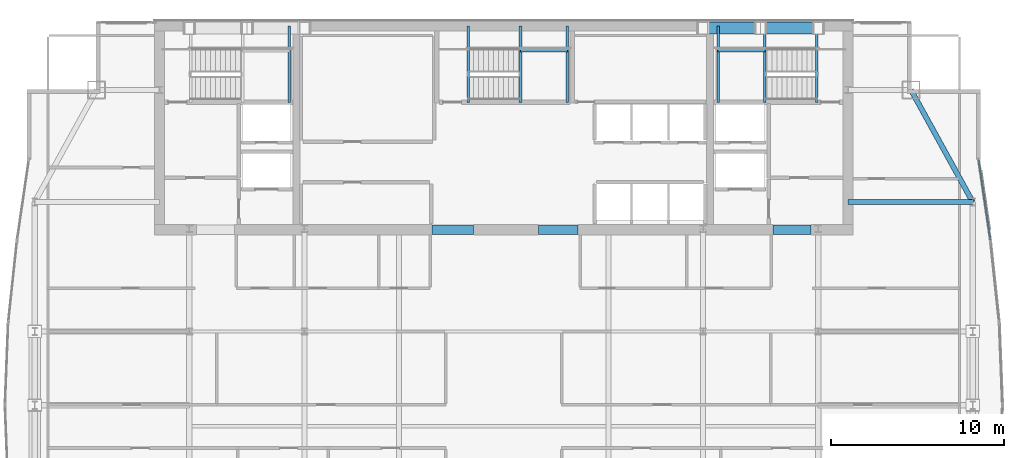
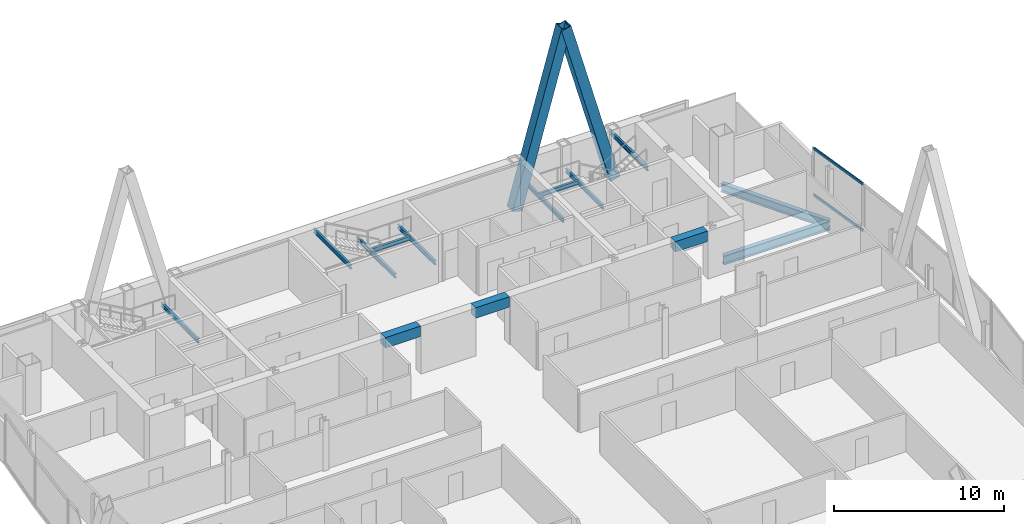
# One storey, part 23 of 31: 14 beams, 4 members, 1 element without a shape of its own.
"""IFC4 building model written with IfcOpenShell, lengths in metres."""

from ifc_helpers import new_model, si_unit, direction, frame, origin, origin_2d, place, context, subcontext, project, spatial, rectangle, hollow_rectangle, i_section, extrude, material, material_profile, profile_set, type_object, element, aggregate, save


model = new_model("IFC4")

# Units and contexts
model_context = context("Model", 3, precision=1e-05, world=origin(), true_north=direction((0.0, 1.0)))
body_context = subcontext(model_context, "Body", "Model", "MODEL_VIEW")
ifc_project = project(units=[si_unit("LENGTHUNIT", "METRE"), si_unit("AREAUNIT", "SQUARE_METRE"), si_unit("VOLUMEUNIT", "CUBIC_METRE"), si_unit("PLANEANGLEUNIT", "RADIAN"), si_unit("MASSUNIT", "GRAM", prefix="KILO")], contexts=[model_context])

# Site, building, storey
site_placement = place(None, origin())
site = spatial("IfcSite", under=ifc_project, at=site_placement, CompositionType="ELEMENT")
building_placement = place(site_placement, origin())
building = spatial("IfcBuilding", under=site, at=building_placement, Name="Khoronbel Lancet Exchange", CompositionType="ELEMENT")
storey_placement = place(building_placement, frame((0.0, 0.0, 249.800048828125)))
storey = spatial("IfcBuildingStorey", under=building, at=storey_placement, Name="L64", CompositionType="ELEMENT", Elevation=249.800048828125)

# Beams
ifc_material_1 = material(Name="Steel S355", Category="steel")
ifc_material_profile_1 = material_profile(ifc_material_1, i_section(OverallWidth=0.300048828125, OverallDepth=0.64990234375, WebThickness=0.01611328125, FlangeThickness=0.031005859375, at=origin_2d()), Name="HEB 650")
ifc_profile_set_1 = profile_set([ifc_material_profile_1], Name="Steel S355")
beam_type_1 = type_object("IfcBeamType", Name="BM-BG4", PredefinedType="BEAM", material=ifc_profile_set_1)
beam_1_placement = place(storey_placement, frame((56.39990234375, 43.199951171875, -0.485107421875), z_axis=(1.0, 0.0, 0.0), x_axis=(0.0, 1.0, 0.0)))
element("IfcBeam", 1, at=beam_1_placement, inside=storey, type_object=beam_type_1, Name="Level L64 east lens tie girder LG3E", PredefinedType="BEAM", context=body_context, shape_type="SweptSolid", body=[
    extrude(i_section(OverallWidth=0.300048828125, OverallDepth=0.64990234375, WebThickness=0.01611328125, FlangeThickness=0.031005859375, at=origin_2d()), origin(), (0.0, 0.0, 1.0), 7.22998046875),
])
ifc_material_profile_2 = material_profile(ifc_material_1, i_section(OverallWidth=0.14990234375, OverallDepth=0.300048828125, WebThickness=0.007080078125, FlangeThickness=0.0107421875, at=origin_2d()), Name="IPE 300")
ifc_profile_set_2 = profile_set([ifc_material_profile_2], Name="Steel S355")
beam_type_2 = type_object("IfcBeamType", Name="BM-BJ8", PredefinedType="JOIST", material=ifc_profile_set_2)
for number, where, z_axis, x_axis, name in (
    (2, (24.030029296875, 48.97998046875, 1.449951171875), (0.0, 1.0, 0.0), (-1.0, 0.0, 0.0), "Level L64 stair ST1 rear landing bearer beam 1"),
    (3, (51.580078125, 48.97998046875, 1.449951171875), (0.0, 1.0, 0.0), (-1.0, 0.0, 0.0), "Level L64 stair ST2 landing bearer beam 1"),
    (4, (48.8701171875, 48.97998046875, 1.449951171875), (0.0, 1.0, 0.0), (-1.0, 0.0, 0.0), "Level L64 stair ST2 rear landing bearer beam 1"),
):
    element("IfcBeam", number, at=place(storey_placement, frame(where, z_axis=z_axis, x_axis=x_axis)), inside=storey, type_object=beam_type_2, Name=name, PredefinedType="JOIST", context=body_context, shape_type="SweptSolid", body=[
        extrude(i_section(OverallWidth=0.14990234375, OverallDepth=0.300048828125, WebThickness=0.007080078125, FlangeThickness=0.0107421875, at=origin_2d()), origin(), (0.0, 0.0, 1.0), 4.419921875),
    ])
beam_2_placement = place(storey_placement, frame((48.8701171875, 51.97998046875, 1.449951171875), z_axis=(1.0, 0.0, 0.0), x_axis=(0.0, 1.0, 0.0)))
element("IfcBeam", 5, at=beam_2_placement, inside=storey, type_object=beam_type_2, Name="Level L64 stair ST2 landing cross trimmer beam 1", PredefinedType="JOIST", context=body_context, shape_type="SweptSolid", body=[
    extrude(i_section(OverallWidth=0.14990234375, OverallDepth=0.300048828125, WebThickness=0.007080078125, FlangeThickness=0.0107421875, at=origin_2d()), origin(), (0.0, 0.0, 1.0), 2.7099609375),
])
for number, where, z_axis, x_axis, name in (
    (6, (54.60009765625, 48.97998046875, 3.159912109375), (0.0, 1.0, 0.0), (-1.0, 0.0, 0.0), "Level L64 stair ST2 upper-flight arrival trimmer beam"),
    (7, (37.419921875, 48.97998046875, 1.449951171875), (0.0, 1.0, 0.0), (-1.0, 0.0, 0.0), "Level L64 stair ST3 landing bearer beam 1"),
    (8, (40.1298828125, 48.97998046875, 1.449951171875), (0.0, 1.0, 0.0), (-1.0, 0.0, 0.0), "Level L64 stair ST3 rear landing bearer beam 1"),
):
    element("IfcBeam", number, at=place(storey_placement, frame(where, z_axis=z_axis, x_axis=x_axis)), inside=storey, type_object=beam_type_2, Name=name, PredefinedType="JOIST", context=body_context, shape_type="SweptSolid", body=[
        extrude(i_section(OverallWidth=0.14990234375, OverallDepth=0.300048828125, WebThickness=0.007080078125, FlangeThickness=0.0107421875, at=origin_2d()), origin(), (0.0, 0.0, 1.0), 4.419921875),
    ])
beam_3_placement = place(storey_placement, frame((37.419921875, 51.97998046875, 1.449951171875), z_axis=(1.0, 0.0, 0.0), x_axis=(0.0, 1.0, 0.0)))
element("IfcBeam", 9, at=beam_3_placement, inside=storey, type_object=beam_type_2, Name="Level L64 stair ST3 landing cross trimmer beam 1", PredefinedType="JOIST", context=body_context, shape_type="SweptSolid", body=[
    extrude(i_section(OverallWidth=0.14990234375, OverallDepth=0.300048828125, WebThickness=0.007080078125, FlangeThickness=0.0107421875, at=origin_2d()), origin(), (0.0, 0.0, 1.0), 2.7099609375),
])
beam_4_placement = place(storey_placement, frame((34.39990234375, 48.97998046875, 3.159912109375), z_axis=(0.0, 1.0, 0.0), x_axis=(-1.0, 0.0, 0.0)))
element("IfcBeam", 10, at=beam_4_placement, inside=storey, type_object=beam_type_2, Name="Level L64 stair ST3 upper-flight arrival trimmer beam", PredefinedType="JOIST", context=body_context, shape_type="SweptSolid", body=[
    extrude(i_section(OverallWidth=0.14990234375, OverallDepth=0.300048828125, WebThickness=0.007080078125, FlangeThickness=0.0107421875, at=origin_2d()), origin(), (0.0, 0.0, 1.0), 4.419921875),
])
ifc_material_2 = material(Name="Concrete C60/75", Category="concrete")
ifc_material_profile_3 = material_profile(ifc_material_2, rectangle(XDim=0.550048828125, YDim=0.75, at=origin_2d()), Name="RC 550x750")
ifc_profile_set_3 = profile_set([ifc_material_profile_3], Name="Concrete C60/75")
beam_type_3 = type_object("IfcBeamType", Name="BM-BL2", PredefinedType="LINTEL", material=ifc_profile_set_3)
beam_5_placement = place(storey_placement, frame((32.300048828125, 41.60009765625, 3.06494140625), z_axis=(1.0, 0.0, 0.0), x_axis=(0.0, 1.0, 0.0)))
element("IfcBeam", 11, at=beam_5_placement, inside=storey, type_object=beam_type_3, Name="Level L64 rear core coupling lintel L2", PredefinedType="LINTEL", context=body_context, shape_type="SweptSolid", body=[
    extrude(rectangle(XDim=0.550048828125, YDim=0.75, at=origin_2d()), origin(), (0.0, 0.0, 1.0), 2.39990234375),
])
beam_6_placement = place(storey_placement, frame((38.449951171875, 41.60009765625, 3.06494140625), z_axis=(1.0, 0.0, 0.0), x_axis=(0.0, 1.0, 0.0)))
element("IfcBeam", 12, at=beam_6_placement, inside=storey, type_object=beam_type_3, Name="Level L64 rear core coupling lintel L3", PredefinedType="LINTEL", context=body_context, shape_type="SweptSolid", body=[
    extrude(rectangle(XDim=0.550048828125, YDim=0.75, at=origin_2d()), origin(), (0.0, 0.0, 1.0), 2.300048828125),
])
beam_7_placement = place(storey_placement, frame((52.050048828125, 41.60009765625, 3.06494140625), z_axis=(1.0, 0.0, 0.0), x_axis=(0.0, 1.0, 0.0)))
element("IfcBeam", 13, at=beam_7_placement, inside=storey, type_object=beam_type_3, Name="Level L64 rear core coupling lintel L4", PredefinedType="LINTEL", context=body_context, shape_type="SweptSolid", body=[
    extrude(rectangle(XDim=0.550048828125, YDim=0.75, at=origin_2d()), origin(), (0.0, 0.0, 1.0), 2.199951171875),
])
ifc_material_profile_4 = material_profile(ifc_material_1, i_section(OverallWidth=0.300048828125, OverallDepth=0.60009765625, WebThickness=0.015380859375, FlangeThickness=0.030029296875, at=origin_2d()), Name="HEB 600")
ifc_profile_set_4 = profile_set([ifc_material_profile_4], Name="Steel S355")
beam_type_4 = type_object("IfcBeamType", Name="BM-BSP2", PredefinedType="SPANDREL", material=ifc_profile_set_4)
beam_8_placement = place(storey_placement, frame((63.6298828125, 43.199951171875, -0.4599609375), z_axis=(-0.482418808117, 0.875940690672, 0.0), x_axis=(-0.875940690672, -0.482418808117, 0.0)))
element("IfcBeam", 14, at=beam_8_placement, inside=storey, type_object=beam_type_4, Name="Level L64 perimeter spandrel beam SP15", PredefinedType="SPANDREL", context=body_context, shape_type="SweptSolid", body=[
    extrude(i_section(OverallWidth=0.300048828125, OverallDepth=0.60009765625, WebThickness=0.015380859375, FlangeThickness=0.030029296875, at=origin_2d()), origin(), (0.0, 0.0, 1.0), 7.420654296875),
])

# Curtain wall, members
ifc_material_3 = material(Name="Low-E Solar Control Insulating Glass", Category="glass")
curtain_wall_type = type_object("IfcCurtainWallType", Name="CW-4", PredefinedType="NOTDEFINED", material=ifc_material_3)
curtain_wall_placement = place(storey_placement, origin())
curtain_wall = element("IfcCurtainWall", 15, at=curtain_wall_placement, inside=storey, type_object=curtain_wall_type, Name="Unitised curtain wall CW-L64-E17", PredefinedType="NOTDEFINED")
ifc_material_4 = material(Name="Bronze-Anodised Aluminium 6063-T6", Category="aluminium")
ifc_material_profile_5 = material_profile(ifc_material_4, hollow_rectangle(XDim=0.0849609375, YDim=0.179931640625, WallThickness=0.0048828125, at=origin_2d()), Name="ALU TRANSOM 85x180")
ifc_profile_set_5 = profile_set([ifc_material_profile_5], Name="Bronze-Anodised Aluminium 6063-T6")
member_type_1 = type_object("IfcMemberType", Name="MEM-CWT1", PredefinedType="USERDEFINED", material=ifc_profile_set_5)
member_1_placement = place(storey_placement, frame((63.970947265625, 45.619384765625, 0.04248046875), z_axis=(0.144739071958, -0.989469858585, 0.0), x_axis=(0.989469858585, 0.144739071958, 0.0)))
member_1 = element("IfcMember", 16, at=member_1_placement, type_object=member_type_1, Name="CW4 transom 1.1", ObjectType="TRANSOM", PredefinedType="USERDEFINED", context=body_context, shape_type="SweptSolid", body=[
    extrude(hollow_rectangle(XDim=0.0849609375, YDim=0.179931640625, WallThickness=0.0048828125, at=origin_2d()), origin(), (0.0, 0.0, 1.0), 4.655517578125),
])
member_2_placement = place(storey_placement, frame((63.970947265625, 45.619384765625, 3.3974609375), z_axis=(0.144739071958, -0.989469858585, 0.0), x_axis=(0.989469858585, 0.144739071958, 0.0)))
member_2 = element("IfcMember", 17, at=member_2_placement, type_object=member_type_1, Name="CW4 transom 1.2", ObjectType="TRANSOM", PredefinedType="USERDEFINED", context=body_context, shape_type="SweptSolid", body=[
    extrude(hollow_rectangle(XDim=0.0849609375, YDim=0.179931640625, WallThickness=0.0048828125, at=origin_2d()), origin(), (0.0, 0.0, 1.0), 4.655517578125),
])
aggregate(curtain_wall, [member_1, member_2])

# Members
ifc_material_5 = material(Name="Steel S460", Category="steel")
ifc_material_profile_6 = material_profile(ifc_material_5, hollow_rectangle(XDim=0.679931640625, YDim=0.679931640625, WallThickness=0.044921875, at=origin_2d()), Name="BOX 680x680x45")
ifc_profile_set_6 = profile_set([ifc_material_profile_6], Name="Steel S460")
member_type_2 = type_object("IfcMemberType", Name="MEM-MB3", PredefinedType="BRACE", material=ifc_profile_set_6)
for number, where, z_axis, x_axis, name in (
    (18, (48.0, 53.280029296875, 0.0), (0.267947134133, 0.0, 0.963433616452), (0.0, 1.0, 0.0), "Perimeter lancet brace tier 22 N-E-L"),
    (19, (54.675048828125, 53.280029296875, 0.0), (-0.267965327822, 0.0, 0.963428556295), (0.0, -1.0, 0.0), "Perimeter lancet brace tier 22 N-E-R"),
):
    element("IfcMember", number, at=place(storey_placement, frame(where, z_axis=z_axis, x_axis=x_axis)), inside=storey, type_object=member_type_2, Name=name, PredefinedType="BRACE", context=body_context, shape_type="SweptSolid", body=[
        extrude(hollow_rectangle(XDim=0.679931640625, YDim=0.679931640625, WallThickness=0.044921875, at=origin_2d()), origin(), (0.0, 0.0, 1.0), 12.45556640625),
    ])

save(model, "model.ifc")
